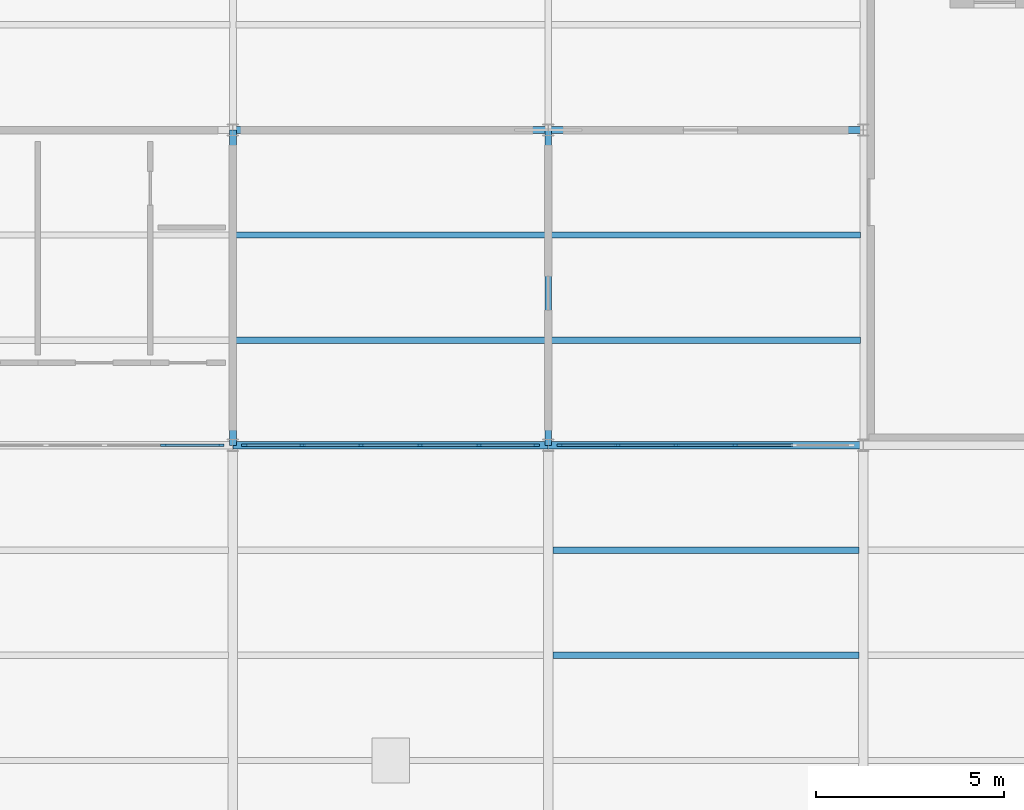
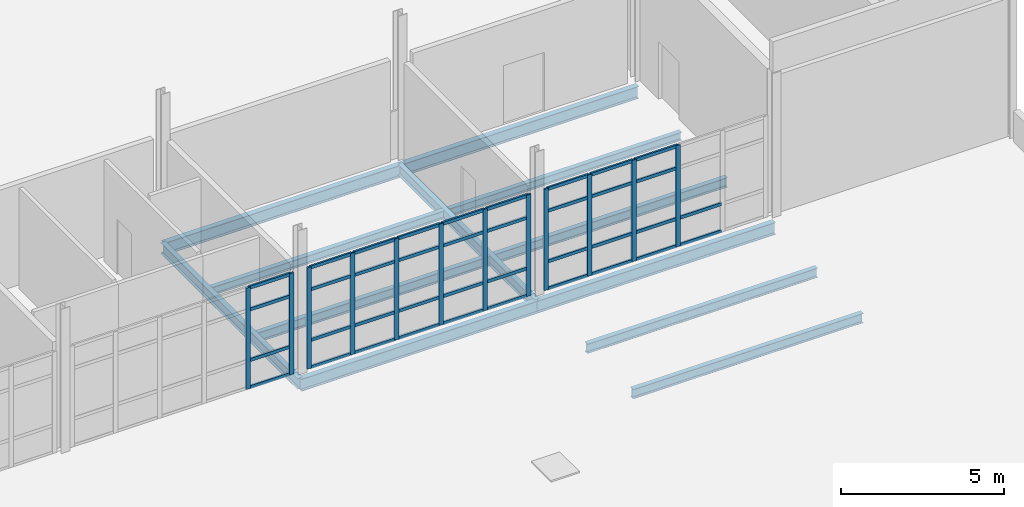
# One storey, part 13 of 33: 50 members, 12 beams, 3 elements without a shape of their own.
"""IFC4 building model written with IfcOpenShell, lengths in metres."""

from ifc_helpers import new_model, si_unit, direction, frame, origin, origin_2d, place, context, subcontext, project, spatial, rectangle, i_section, extrude, material, layer, layer_set, material_profile, profile_set, type_object, element, aggregate, save


model = new_model("IFC4")

# Units and contexts
model_context = context("Model", 3, precision=1e-05, world=origin(), true_north=direction((0.0, 1.0)))
body_context = subcontext(model_context, "Body", "Model", "MODEL_VIEW")
ifc_project = project(units=[si_unit("LENGTHUNIT", "METRE"), si_unit("AREAUNIT", "SQUARE_METRE"), si_unit("VOLUMEUNIT", "CUBIC_METRE"), si_unit("PLANEANGLEUNIT", "RADIAN"), si_unit("MASSUNIT", "GRAM", prefix="KILO"), si_unit("THERMODYNAMICTEMPERATUREUNIT", "KELVIN"), si_unit("POWERUNIT", "WATT")], contexts=[model_context])

# Site, building, storey
site_placement = place(None, origin())
site = spatial("IfcSite", under=ifc_project, at=site_placement, CompositionType="ELEMENT")
building_placement = place(site_placement, origin())
building = spatial("IfcBuilding", under=site, at=building_placement, Name="Tembeka Court Mobility Hub", CompositionType="ELEMENT")
storey_placement = place(building_placement, frame((0.0, 0.0, 23.39990234375)))
storey = spatial("IfcBuildingStorey", under=building, at=storey_placement, Name="L06", CompositionType="ELEMENT", Elevation=23.39990234375)

# Beams
ifc_material_1 = material(Name="Steel S355", Category="steel")
ifc_material_profile_1 = material_profile(ifc_material_1, i_section(OverallWidth=0.18994140625, OverallDepth=0.45703125, WebThickness=0.009033203125, FlangeThickness=0.014404296875, FilletRadius=0.01025390625, at=origin_2d()), Name="UKB 457x191x74")
ifc_profile_set_1 = profile_set([ifc_material_profile_1], Name="Steel S355")
beam_type_1 = type_object("IfcBeamType", Name="BM-B01", PredefinedType="BEAM", material=ifc_profile_set_1)
beam_1_placement = place(storey_placement, frame((67.199951171875, 38.39990234375, -0.478515625), z_axis=(1.0, 0.0, 0.0), x_axis=(0.0, 1.0, 0.0)))
element("IfcBeam", 1, at=beam_1_placement, inside=storey, type_object=beam_type_1, Name="Beam B01 (BM-L06-X3119)", PredefinedType="BEAM", context=body_context, shape_type="SweptSolid", body=[
    extrude(i_section(OverallWidth=0.18994140625, OverallDepth=0.45703125, WebThickness=0.009033203125, FlangeThickness=0.014404296875, FilletRadius=0.01025390625, at=origin_2d()), origin(), (0.0, 0.0, 1.0), 8.400146484375),
])
beam_2_placement = place(storey_placement, frame((75.60009765625, 38.39990234375, -0.478515625), z_axis=(1.0, 0.0, 0.0), x_axis=(0.0, 1.0, 0.0)))
element("IfcBeam", 2, at=beam_2_placement, inside=storey, type_object=beam_type_1, Name="Beam B01 (BM-L06-X3120)", PredefinedType="BEAM", context=body_context, shape_type="SweptSolid", body=[
    extrude(i_section(OverallWidth=0.18994140625, OverallDepth=0.45703125, WebThickness=0.009033203125, FlangeThickness=0.014404296875, FilletRadius=0.01025390625, at=origin_2d()), origin(), (0.0, 0.0, 1.0), 8.39990234375),
])
beam_3_placement = place(storey_placement, frame((67.199951171875, 46.800048828125, -0.478515625), z_axis=(1.0, 0.0, 0.0), x_axis=(0.0, 1.0, 0.0)))
element("IfcBeam", 3, at=beam_3_placement, inside=storey, type_object=beam_type_1, Name="Beam B01 (BM-L06-X3129)", PredefinedType="BEAM", context=body_context, shape_type="SweptSolid", body=[
    extrude(i_section(OverallWidth=0.18994140625, OverallDepth=0.45703125, WebThickness=0.009033203125, FlangeThickness=0.014404296875, FilletRadius=0.01025390625, at=origin_2d()), origin(), (0.0, 0.0, 1.0), 8.400146484375),
])
beam_4_placement = place(storey_placement, frame((75.60009765625, 46.800048828125, -0.478515625), z_axis=(1.0, 0.0, 0.0), x_axis=(0.0, 1.0, 0.0)))
element("IfcBeam", 4, at=beam_4_placement, inside=storey, type_object=beam_type_1, Name="Beam B01 (BM-L06-X3130)", PredefinedType="BEAM", context=body_context, shape_type="SweptSolid", body=[
    extrude(i_section(OverallWidth=0.18994140625, OverallDepth=0.45703125, WebThickness=0.009033203125, FlangeThickness=0.014404296875, FilletRadius=0.01025390625, at=origin_2d()), origin(), (0.0, 0.0, 1.0), 8.39990234375),
])
ifc_material_profile_2 = material_profile(ifc_material_1, i_section(OverallWidth=0.177978515625, OverallDepth=0.406005859375, WebThickness=0.0078125, FlangeThickness=0.0126953125, FilletRadius=0.01025390625, at=origin_2d()), Name="UKB 406x178x60")
ifc_profile_set_2 = profile_set([ifc_material_profile_2], Name="Steel S355")
beam_type_2 = type_object("IfcBeamType", Name="BM-B02", PredefinedType="BEAM", material=ifc_profile_set_2)
for number, where, z_axis, x_axis, name in (
    (5, (67.199951171875, 38.39990234375, -0.452880859375), (0.0, 1.0, 0.0), (-1.0, 0.0, 0.0), "Beam B02 (BM-L06-Y3262)"),
    (6, (75.60009765625, 38.39990234375, -0.452880859375), (0.0, 1.0, 0.0), (-1.0, 0.0, 0.0), "Beam B02 (BM-L06-Y3269)"),
):
    element("IfcBeam", number, at=place(storey_placement, frame(where, z_axis=z_axis, x_axis=x_axis)), inside=storey, type_object=beam_type_2, Name=name, PredefinedType="BEAM", context=body_context, shape_type="SweptSolid", body=[
        extrude(i_section(OverallWidth=0.177978515625, OverallDepth=0.406005859375, WebThickness=0.0078125, FlangeThickness=0.0126953125, FilletRadius=0.01025390625, at=origin_2d()), origin(), (0.0, 0.0, 1.0), 8.400146484375),
    ])
ifc_material_profile_3 = material_profile(ifc_material_1, i_section(OverallWidth=0.172119140625, OverallDepth=0.35498046875, WebThickness=0.00732421875, FlangeThickness=0.011474609375, FilletRadius=0.01025390625, at=origin_2d()), Name="UKB 356x171x51")
ifc_profile_set_3 = profile_set([ifc_material_profile_3], Name="Steel S355")
beam_type_3 = type_object("IfcBeamType", Name="BM-J01", PredefinedType="JOIST", material=ifc_profile_set_3)
for number, where, z_axis, x_axis, name in (
    (7, (75.721923828125, 32.800048828125, -0.407470703125), (1.0, 0.0, 0.0), (0.0, 1.0, 0.0), "Beam J01 (JST-L06-3464)"),
    (8, (75.721923828125, 35.60009765625, -0.407470703125), (1.0, 0.0, 0.0), (0.0, 1.0, 0.0), "Beam J01 (JST-L06-3465)"),
):
    element("IfcBeam", number, at=place(storey_placement, frame(where, z_axis=z_axis, x_axis=x_axis)), inside=storey, type_object=beam_type_3, Name=name, PredefinedType="JOIST", context=body_context, shape_type="SweptSolid", body=[
        extrude(i_section(OverallWidth=0.172119140625, OverallDepth=0.35498046875, WebThickness=0.00732421875, FlangeThickness=0.011474609375, FilletRadius=0.01025390625, at=origin_2d()), origin(), (0.0, 0.0, 1.0), 8.156005859375),
    ])
ifc_material_profile_4 = material_profile(ifc_material_1, i_section(OverallWidth=0.1650390625, OverallDepth=0.303955078125, WebThickness=0.006103515625, FlangeThickness=0.01025390625, FilletRadius=0.0087890625, at=origin_2d()), Name="UKB 305x165x40")
ifc_profile_set_4 = profile_set([ifc_material_profile_4], Name="Steel S355")
beam_type_4 = type_object("IfcBeamType", Name="BM-J02", PredefinedType="JOIST", material=ifc_profile_set_4)
beam_5_placement = place(storey_placement, frame((67.283935546875, 44.0, -0.40185546875), z_axis=(1.0, 0.0, 0.0), x_axis=(0.0, 1.0, 0.0)))
element("IfcBeam", 9, at=beam_5_placement, inside=storey, type_object=beam_type_4, Name="Beam J02 (JST-L06-3447)", PredefinedType="JOIST", context=body_context, shape_type="SweptSolid", body=[
    extrude(i_section(OverallWidth=0.1650390625, OverallDepth=0.303955078125, WebThickness=0.006103515625, FlangeThickness=0.01025390625, FilletRadius=0.0087890625, at=origin_2d()), origin(), (0.0, 0.0, 1.0), 8.232177734375),
])
beam_6_placement = place(storey_placement, frame((75.68408203125, 44.0, -0.40185546875), z_axis=(1.0, 0.0, 0.0), x_axis=(0.0, 1.0, 0.0)))
element("IfcBeam", 10, at=beam_6_placement, inside=storey, type_object=beam_type_4, Name="Beam J02 (JST-L06-3467)", PredefinedType="JOIST", context=body_context, shape_type="SweptSolid", body=[
    extrude(i_section(OverallWidth=0.1650390625, OverallDepth=0.303955078125, WebThickness=0.006103515625, FlangeThickness=0.01025390625, FilletRadius=0.0087890625, at=origin_2d()), origin(), (0.0, 0.0, 1.0), 8.23193359375),
])
ifc_material_profile_5 = material_profile(ifc_material_1, i_section(OverallWidth=0.169921875, OverallDepth=0.360107421875, WebThickness=0.008056640625, FlangeThickness=0.0126953125, FilletRadius=0.01806640625, at=origin_2d()), Name="IPE 360")
ifc_profile_set_5 = profile_set([ifc_material_profile_5], Name="Steel S355")
beam_type_5 = type_object("IfcBeamType", Name="BM-J03", PredefinedType="JOIST", material=ifc_profile_set_5)
beam_7_placement = place(storey_placement, frame((67.283935546875, 41.199951171875, -0.429931640625), z_axis=(1.0, 0.0, 0.0), x_axis=(0.0, 1.0, 0.0)))
element("IfcBeam", 11, at=beam_7_placement, inside=storey, type_object=beam_type_5, Name="Beam J03 (JST-L06-3446)", PredefinedType="JOIST", context=body_context, shape_type="SweptSolid", body=[
    extrude(i_section(OverallWidth=0.169921875, OverallDepth=0.360107421875, WebThickness=0.008056640625, FlangeThickness=0.0126953125, FilletRadius=0.01806640625, at=origin_2d()), origin(), (0.0, 0.0, 1.0), 8.232177734375),
])
beam_8_placement = place(storey_placement, frame((75.68408203125, 41.199951171875, -0.429931640625), z_axis=(1.0, 0.0, 0.0), x_axis=(0.0, 1.0, 0.0)))
element("IfcBeam", 12, at=beam_8_placement, inside=storey, type_object=beam_type_5, Name="Beam J03 (JST-L06-3466)", PredefinedType="JOIST", context=body_context, shape_type="SweptSolid", body=[
    extrude(i_section(OverallWidth=0.169921875, OverallDepth=0.360107421875, WebThickness=0.008056640625, FlangeThickness=0.0126953125, FilletRadius=0.01806640625, at=origin_2d()), origin(), (0.0, 0.0, 1.0), 8.23193359375),
])

# Curtain wall, members
ifc_material_2 = material(Name="Anodised aluminium 6063-T6", Category="aluminium")
ifc_layer = layer(ifc_material_2, 0.159912109375)
ifc_layer_set = layer_set([ifc_layer], Name="Anodised aluminium 6063-T6")
curtain_wall_type = type_object("IfcCurtainWallType", Name="CW-SYS57", PredefinedType="USERDEFINED", material=ifc_layer_set)
curtain_wall_1_placement = place(storey_placement, origin())
curtain_wall_1 = element("IfcCurtainWall", 13, at=curtain_wall_1_placement, inside=storey, type_object=curtain_wall_type, Name="Unitised curtain wall CW57 (CW-L06-158)", ObjectType="UNITISED GLAZING", PredefinedType="USERDEFINED")
ifc_material_profile_6 = material_profile(ifc_material_2, rectangle(XDim=0.06494140625, YDim=0.159912109375, at=origin_2d()), Name="ALU-MUL 65x160")
ifc_profile_set_6 = profile_set([ifc_material_profile_6], Name="Anodised aluminium 6063-T6")
member_type_1 = type_object("IfcMemberType", Name="CW-MUL01", PredefinedType="MULLION", material=ifc_profile_set_6)
member_1_placement = place(storey_placement, frame((65.35205078125, 38.39990234375, 0.0), z_axis=(0.0, 0.0, 1.0), x_axis=(0.0, 1.0, 0.0)))
member_1 = element("IfcMember", 14, at=member_1_placement, type_object=member_type_1, Name="CW57 mullion 5", PredefinedType="MULLION", context=body_context, shape_type="SweptSolid", body=[
    extrude(rectangle(XDim=0.06494140625, YDim=0.159912109375, at=origin_2d()), origin(), (0.0, 0.0, 1.0), 3.795166015625),
])
member_2_placement = place(storey_placement, frame((66.887451171875, 38.39990234375, 0.0), z_axis=(0.0, 0.0, 1.0), x_axis=(0.0, 1.0, 0.0)))
member_2 = element("IfcMember", 15, at=member_2_placement, type_object=member_type_1, Name="CW57 mullion 6", PredefinedType="MULLION", context=body_context, shape_type="SweptSolid", body=[
    extrude(rectangle(XDim=0.06494140625, YDim=0.159912109375, at=origin_2d()), origin(), (0.0, 0.0, 1.0), 3.795166015625),
])

curtain_wall_2_placement = place(storey_placement, origin())
curtain_wall_2 = element("IfcCurtainWall", 16, at=curtain_wall_2_placement, inside=storey, type_object=curtain_wall_type, Name="Unitised curtain wall CW57 (CW-L06-160)", ObjectType="UNITISED GLAZING", PredefinedType="USERDEFINED")
member_3_placement = place(storey_placement, frame((67.512451171875, 38.39990234375, 0.0), z_axis=(0.0, 0.0, 1.0), x_axis=(0.0, 1.0, 0.0)))
member_3 = element("IfcMember", 17, at=member_3_placement, type_object=member_type_1, Name="CW57 mullion 1", PredefinedType="MULLION", context=body_context, shape_type="SweptSolid", body=[
    extrude(rectangle(XDim=0.06494140625, YDim=0.159912109375, at=origin_2d()), origin(), (0.0, 0.0, 1.0), 3.795166015625),
])
member_4_placement = place(storey_placement, frame((69.048095703125, 38.39990234375, 0.0), z_axis=(0.0, 0.0, 1.0), x_axis=(0.0, 1.0, 0.0)))
member_4 = element("IfcMember", 18, at=member_4_placement, type_object=member_type_1, Name="CW57 mullion 2", PredefinedType="MULLION", context=body_context, shape_type="SweptSolid", body=[
    extrude(rectangle(XDim=0.06494140625, YDim=0.159912109375, at=origin_2d()), origin(), (0.0, 0.0, 1.0), 3.795166015625),
])
member_5_placement = place(storey_placement, frame((70.615966796875, 38.39990234375, 0.0), z_axis=(0.0, 0.0, 1.0), x_axis=(0.0, 1.0, 0.0)))
member_5 = element("IfcMember", 19, at=member_5_placement, type_object=member_type_1, Name="CW57 mullion 3", PredefinedType="MULLION", context=body_context, shape_type="SweptSolid", body=[
    extrude(rectangle(XDim=0.06494140625, YDim=0.159912109375, at=origin_2d()), origin(), (0.0, 0.0, 1.0), 3.795166015625),
])
member_6_placement = place(storey_placement, frame((72.18408203125, 38.39990234375, 0.0), z_axis=(0.0, 0.0, 1.0), x_axis=(0.0, 1.0, 0.0)))
member_6 = element("IfcMember", 20, at=member_6_placement, type_object=member_type_1, Name="CW57 mullion 4", PredefinedType="MULLION", context=body_context, shape_type="SweptSolid", body=[
    extrude(rectangle(XDim=0.06494140625, YDim=0.159912109375, at=origin_2d()), origin(), (0.0, 0.0, 1.0), 3.795166015625),
])
member_7_placement = place(storey_placement, frame((73.751953125, 38.39990234375, 0.0), z_axis=(0.0, 0.0, 1.0), x_axis=(0.0, 1.0, 0.0)))
member_7 = element("IfcMember", 21, at=member_7_placement, type_object=member_type_1, Name="CW57 mullion 5", PredefinedType="MULLION", context=body_context, shape_type="SweptSolid", body=[
    extrude(rectangle(XDim=0.06494140625, YDim=0.159912109375, at=origin_2d()), origin(), (0.0, 0.0, 1.0), 3.795166015625),
])
member_8_placement = place(storey_placement, frame((75.28759765625, 38.39990234375, 0.0), z_axis=(0.0, 0.0, 1.0), x_axis=(0.0, 1.0, 0.0)))
member_8 = element("IfcMember", 22, at=member_8_placement, type_object=member_type_1, Name="CW57 mullion 6", PredefinedType="MULLION", context=body_context, shape_type="SweptSolid", body=[
    extrude(rectangle(XDim=0.06494140625, YDim=0.159912109375, at=origin_2d()), origin(), (0.0, 0.0, 1.0), 3.795166015625),
])

curtain_wall_3_placement = place(storey_placement, origin())
curtain_wall_3 = element("IfcCurtainWall", 23, at=curtain_wall_3_placement, inside=storey, type_object=curtain_wall_type, Name="Unitised curtain wall CW57 (CW-L06-162)", ObjectType="UNITISED GLAZING", PredefinedType="USERDEFINED")
member_9_placement = place(storey_placement, frame((75.91259765625, 38.39990234375, 0.0), z_axis=(0.0, 0.0, 1.0), x_axis=(0.0, 1.0, 0.0)))
member_9 = element("IfcMember", 24, at=member_9_placement, type_object=member_type_1, Name="CW57 mullion 1", PredefinedType="MULLION", context=body_context, shape_type="SweptSolid", body=[
    extrude(rectangle(XDim=0.06494140625, YDim=0.159912109375, at=origin_2d()), origin(), (0.0, 0.0, 1.0), 3.795166015625),
])
member_10_placement = place(storey_placement, frame((77.447998046875, 38.39990234375, 0.0), z_axis=(0.0, 0.0, 1.0), x_axis=(0.0, 1.0, 0.0)))
member_10 = element("IfcMember", 25, at=member_10_placement, type_object=member_type_1, Name="CW57 mullion 2", PredefinedType="MULLION", context=body_context, shape_type="SweptSolid", body=[
    extrude(rectangle(XDim=0.06494140625, YDim=0.159912109375, at=origin_2d()), origin(), (0.0, 0.0, 1.0), 3.795166015625),
])
member_11_placement = place(storey_placement, frame((79.01611328125, 38.39990234375, 0.0), z_axis=(0.0, 0.0, 1.0), x_axis=(0.0, 1.0, 0.0)))
member_11 = element("IfcMember", 26, at=member_11_placement, type_object=member_type_1, Name="CW57 mullion 3", PredefinedType="MULLION", context=body_context, shape_type="SweptSolid", body=[
    extrude(rectangle(XDim=0.06494140625, YDim=0.159912109375, at=origin_2d()), origin(), (0.0, 0.0, 1.0), 3.795166015625),
])
member_12_placement = place(storey_placement, frame((80.583984375, 38.39990234375, 0.0), z_axis=(0.0, 0.0, 1.0), x_axis=(0.0, 1.0, 0.0)))
member_12 = element("IfcMember", 27, at=member_12_placement, type_object=member_type_1, Name="CW57 mullion 4", PredefinedType="MULLION", context=body_context, shape_type="SweptSolid", body=[
    extrude(rectangle(XDim=0.06494140625, YDim=0.159912109375, at=origin_2d()), origin(), (0.0, 0.0, 1.0), 3.795166015625),
])

# Member
ifc_material_profile_7 = material_profile(ifc_material_2, rectangle(XDim=0.06494140625, YDim=0.1201171875, at=origin_2d()), Name="ALU-TRN 65x120")
ifc_profile_set_7 = profile_set([ifc_material_profile_7], Name="Anodised aluminium 6063-T6")
member_type_2 = type_object("IfcMemberType", Name="CW-TRN01", PredefinedType="USERDEFINED", material=ifc_profile_set_7)
member_13_placement = place(storey_placement, frame((65.384521484375, 38.39990234375, 0.03271484375), z_axis=(1.0, 0.0, 0.0), x_axis=(0.0, 1.0, 0.0)))
member_13 = element("IfcMember", 28, at=member_13_placement, type_object=member_type_2, Name="CW57 transom 5.1", ObjectType="TRANSOM", PredefinedType="USERDEFINED", context=body_context, shape_type="SweptSolid", body=[
    extrude(rectangle(XDim=0.06494140625, YDim=0.1201171875, at=origin_2d()), origin(), (0.0, 0.0, 1.0), 1.470458984375),
])

member_14_placement = place(storey_placement, frame((65.384521484375, 38.39990234375, 1.050048828125), z_axis=(1.0, 0.0, 0.0), x_axis=(0.0, 1.0, 0.0)))
member_14 = element("IfcMember", 29, at=member_14_placement, type_object=member_type_2, Name="CW57 transom 5.2", ObjectType="TRANSOM", PredefinedType="USERDEFINED", context=body_context, shape_type="SweptSolid", body=[
    extrude(rectangle(XDim=0.06494140625, YDim=0.1201171875, at=origin_2d()), origin(), (0.0, 0.0, 1.0), 1.470458984375),
])

member_15_placement = place(storey_placement, frame((65.384521484375, 38.39990234375, 2.945068359375), z_axis=(1.0, 0.0, 0.0), x_axis=(0.0, 1.0, 0.0)))
member_15 = element("IfcMember", 30, at=member_15_placement, type_object=member_type_2, Name="CW57 transom 5.3", ObjectType="TRANSOM", PredefinedType="USERDEFINED", context=body_context, shape_type="SweptSolid", body=[
    extrude(rectangle(XDim=0.06494140625, YDim=0.1201171875, at=origin_2d()), origin(), (0.0, 0.0, 1.0), 1.470458984375),
])

member_16_placement = place(storey_placement, frame((65.384521484375, 38.39990234375, 3.7626953125), z_axis=(1.0, 0.0, 0.0), x_axis=(0.0, 1.0, 0.0)))
member_16 = element("IfcMember", 31, at=member_16_placement, type_object=member_type_2, Name="CW57 transom 5.4", ObjectType="TRANSOM", PredefinedType="USERDEFINED", context=body_context, shape_type="SweptSolid", body=[
    extrude(rectangle(XDim=0.06494140625, YDim=0.1201171875, at=origin_2d()), origin(), (0.0, 0.0, 1.0), 1.470458984375),
])

aggregate(curtain_wall_1, [member_1, member_2, member_13, member_14, member_15, member_16])

member_17_placement = place(storey_placement, frame((67.544921875, 38.39990234375, 0.03271484375), z_axis=(1.0, 0.0, 0.0), x_axis=(0.0, 1.0, 0.0)))
member_17 = element("IfcMember", 32, at=member_17_placement, type_object=member_type_2, Name="CW57 transom 1.1", ObjectType="TRANSOM", PredefinedType="USERDEFINED", context=body_context, shape_type="SweptSolid", body=[
    extrude(rectangle(XDim=0.06494140625, YDim=0.1201171875, at=origin_2d()), origin(), (0.0, 0.0, 1.0), 1.470458984375),
])

member_18_placement = place(storey_placement, frame((67.544921875, 38.39990234375, 1.050048828125), z_axis=(1.0, 0.0, 0.0), x_axis=(0.0, 1.0, 0.0)))
member_18 = element("IfcMember", 33, at=member_18_placement, type_object=member_type_2, Name="CW57 transom 1.2", ObjectType="TRANSOM", PredefinedType="USERDEFINED", context=body_context, shape_type="SweptSolid", body=[
    extrude(rectangle(XDim=0.06494140625, YDim=0.1201171875, at=origin_2d()), origin(), (0.0, 0.0, 1.0), 1.470458984375),
])

member_19_placement = place(storey_placement, frame((67.544921875, 38.39990234375, 2.945068359375), z_axis=(1.0, 0.0, 0.0), x_axis=(0.0, 1.0, 0.0)))
member_19 = element("IfcMember", 34, at=member_19_placement, type_object=member_type_2, Name="CW57 transom 1.3", ObjectType="TRANSOM", PredefinedType="USERDEFINED", context=body_context, shape_type="SweptSolid", body=[
    extrude(rectangle(XDim=0.06494140625, YDim=0.1201171875, at=origin_2d()), origin(), (0.0, 0.0, 1.0), 1.470458984375),
])

member_20_placement = place(storey_placement, frame((67.544921875, 38.39990234375, 3.7626953125), z_axis=(1.0, 0.0, 0.0), x_axis=(0.0, 1.0, 0.0)))
member_20 = element("IfcMember", 35, at=member_20_placement, type_object=member_type_2, Name="CW57 transom 1.4", ObjectType="TRANSOM", PredefinedType="USERDEFINED", context=body_context, shape_type="SweptSolid", body=[
    extrude(rectangle(XDim=0.06494140625, YDim=0.1201171875, at=origin_2d()), origin(), (0.0, 0.0, 1.0), 1.470458984375),
])

member_21_placement = place(storey_placement, frame((69.08056640625, 38.39990234375, 0.03271484375), z_axis=(1.0, 0.0, 0.0), x_axis=(0.0, 1.0, 0.0)))
member_21 = element("IfcMember", 36, at=member_21_placement, type_object=member_type_2, Name="CW57 transom 2.1", ObjectType="TRANSOM", PredefinedType="USERDEFINED", context=body_context, shape_type="SweptSolid", body=[
    extrude(rectangle(XDim=0.06494140625, YDim=0.1201171875, at=origin_2d()), origin(), (0.0, 0.0, 1.0), 1.5029296875),
])

member_22_placement = place(storey_placement, frame((69.08056640625, 38.39990234375, 1.050048828125), z_axis=(1.0, 0.0, 0.0), x_axis=(0.0, 1.0, 0.0)))
member_22 = element("IfcMember", 37, at=member_22_placement, type_object=member_type_2, Name="CW57 transom 2.2", ObjectType="TRANSOM", PredefinedType="USERDEFINED", context=body_context, shape_type="SweptSolid", body=[
    extrude(rectangle(XDim=0.06494140625, YDim=0.1201171875, at=origin_2d()), origin(), (0.0, 0.0, 1.0), 1.5029296875),
])

member_23_placement = place(storey_placement, frame((69.08056640625, 38.39990234375, 2.945068359375), z_axis=(1.0, 0.0, 0.0), x_axis=(0.0, 1.0, 0.0)))
member_23 = element("IfcMember", 38, at=member_23_placement, type_object=member_type_2, Name="CW57 transom 2.3", ObjectType="TRANSOM", PredefinedType="USERDEFINED", context=body_context, shape_type="SweptSolid", body=[
    extrude(rectangle(XDim=0.06494140625, YDim=0.1201171875, at=origin_2d()), origin(), (0.0, 0.0, 1.0), 1.5029296875),
])

member_24_placement = place(storey_placement, frame((69.08056640625, 38.39990234375, 3.7626953125), z_axis=(1.0, 0.0, 0.0), x_axis=(0.0, 1.0, 0.0)))
member_24 = element("IfcMember", 39, at=member_24_placement, type_object=member_type_2, Name="CW57 transom 2.4", ObjectType="TRANSOM", PredefinedType="USERDEFINED", context=body_context, shape_type="SweptSolid", body=[
    extrude(rectangle(XDim=0.06494140625, YDim=0.1201171875, at=origin_2d()), origin(), (0.0, 0.0, 1.0), 1.5029296875),
])

member_25_placement = place(storey_placement, frame((70.6484375, 38.39990234375, 0.03271484375), z_axis=(1.0, 0.0, 0.0), x_axis=(0.0, 1.0, 0.0)))
member_25 = element("IfcMember", 40, at=member_25_placement, type_object=member_type_2, Name="CW57 transom 3.1", ObjectType="TRANSOM", PredefinedType="USERDEFINED", context=body_context, shape_type="SweptSolid", body=[
    extrude(rectangle(XDim=0.06494140625, YDim=0.1201171875, at=origin_2d()), origin(), (0.0, 0.0, 1.0), 1.503173828125),
])

member_26_placement = place(storey_placement, frame((70.6484375, 38.39990234375, 1.050048828125), z_axis=(1.0, 0.0, 0.0), x_axis=(0.0, 1.0, 0.0)))
member_26 = element("IfcMember", 41, at=member_26_placement, type_object=member_type_2, Name="CW57 transom 3.2", ObjectType="TRANSOM", PredefinedType="USERDEFINED", context=body_context, shape_type="SweptSolid", body=[
    extrude(rectangle(XDim=0.06494140625, YDim=0.1201171875, at=origin_2d()), origin(), (0.0, 0.0, 1.0), 1.503173828125),
])

member_27_placement = place(storey_placement, frame((70.6484375, 38.39990234375, 2.945068359375), z_axis=(1.0, 0.0, 0.0), x_axis=(0.0, 1.0, 0.0)))
member_27 = element("IfcMember", 42, at=member_27_placement, type_object=member_type_2, Name="CW57 transom 3.3", ObjectType="TRANSOM", PredefinedType="USERDEFINED", context=body_context, shape_type="SweptSolid", body=[
    extrude(rectangle(XDim=0.06494140625, YDim=0.1201171875, at=origin_2d()), origin(), (0.0, 0.0, 1.0), 1.503173828125),
])

member_28_placement = place(storey_placement, frame((70.6484375, 38.39990234375, 3.7626953125), z_axis=(1.0, 0.0, 0.0), x_axis=(0.0, 1.0, 0.0)))
member_28 = element("IfcMember", 43, at=member_28_placement, type_object=member_type_2, Name="CW57 transom 3.4", ObjectType="TRANSOM", PredefinedType="USERDEFINED", context=body_context, shape_type="SweptSolid", body=[
    extrude(rectangle(XDim=0.06494140625, YDim=0.1201171875, at=origin_2d()), origin(), (0.0, 0.0, 1.0), 1.503173828125),
])

member_29_placement = place(storey_placement, frame((72.216552734375, 38.39990234375, 0.03271484375), z_axis=(1.0, 0.0, 0.0), x_axis=(0.0, 1.0, 0.0)))
member_29 = element("IfcMember", 44, at=member_29_placement, type_object=member_type_2, Name="CW57 transom 4.1", ObjectType="TRANSOM", PredefinedType="USERDEFINED", context=body_context, shape_type="SweptSolid", body=[
    extrude(rectangle(XDim=0.06494140625, YDim=0.1201171875, at=origin_2d()), origin(), (0.0, 0.0, 1.0), 1.5029296875),
])

member_30_placement = place(storey_placement, frame((72.216552734375, 38.39990234375, 1.050048828125), z_axis=(1.0, 0.0, 0.0), x_axis=(0.0, 1.0, 0.0)))
member_30 = element("IfcMember", 45, at=member_30_placement, type_object=member_type_2, Name="CW57 transom 4.2", ObjectType="TRANSOM", PredefinedType="USERDEFINED", context=body_context, shape_type="SweptSolid", body=[
    extrude(rectangle(XDim=0.06494140625, YDim=0.1201171875, at=origin_2d()), origin(), (0.0, 0.0, 1.0), 1.5029296875),
])

member_31_placement = place(storey_placement, frame((72.216552734375, 38.39990234375, 2.945068359375), z_axis=(1.0, 0.0, 0.0), x_axis=(0.0, 1.0, 0.0)))
member_31 = element("IfcMember", 46, at=member_31_placement, type_object=member_type_2, Name="CW57 transom 4.3", ObjectType="TRANSOM", PredefinedType="USERDEFINED", context=body_context, shape_type="SweptSolid", body=[
    extrude(rectangle(XDim=0.06494140625, YDim=0.1201171875, at=origin_2d()), origin(), (0.0, 0.0, 1.0), 1.5029296875),
])

member_32_placement = place(storey_placement, frame((72.216552734375, 38.39990234375, 3.7626953125), z_axis=(1.0, 0.0, 0.0), x_axis=(0.0, 1.0, 0.0)))
member_32 = element("IfcMember", 47, at=member_32_placement, type_object=member_type_2, Name="CW57 transom 4.4", ObjectType="TRANSOM", PredefinedType="USERDEFINED", context=body_context, shape_type="SweptSolid", body=[
    extrude(rectangle(XDim=0.06494140625, YDim=0.1201171875, at=origin_2d()), origin(), (0.0, 0.0, 1.0), 1.5029296875),
])

member_33_placement = place(storey_placement, frame((73.784423828125, 38.39990234375, 0.03271484375), z_axis=(1.0, 0.0, 0.0), x_axis=(0.0, 1.0, 0.0)))
member_33 = element("IfcMember", 48, at=member_33_placement, type_object=member_type_2, Name="CW57 transom 5.1", ObjectType="TRANSOM", PredefinedType="USERDEFINED", context=body_context, shape_type="SweptSolid", body=[
    extrude(rectangle(XDim=0.06494140625, YDim=0.1201171875, at=origin_2d()), origin(), (0.0, 0.0, 1.0), 1.470458984375),
])

member_34_placement = place(storey_placement, frame((73.784423828125, 38.39990234375, 1.050048828125), z_axis=(1.0, 0.0, 0.0), x_axis=(0.0, 1.0, 0.0)))
member_34 = element("IfcMember", 49, at=member_34_placement, type_object=member_type_2, Name="CW57 transom 5.2", ObjectType="TRANSOM", PredefinedType="USERDEFINED", context=body_context, shape_type="SweptSolid", body=[
    extrude(rectangle(XDim=0.06494140625, YDim=0.1201171875, at=origin_2d()), origin(), (0.0, 0.0, 1.0), 1.470458984375),
])

member_35_placement = place(storey_placement, frame((73.784423828125, 38.39990234375, 2.945068359375), z_axis=(1.0, 0.0, 0.0), x_axis=(0.0, 1.0, 0.0)))
member_35 = element("IfcMember", 50, at=member_35_placement, type_object=member_type_2, Name="CW57 transom 5.3", ObjectType="TRANSOM", PredefinedType="USERDEFINED", context=body_context, shape_type="SweptSolid", body=[
    extrude(rectangle(XDim=0.06494140625, YDim=0.1201171875, at=origin_2d()), origin(), (0.0, 0.0, 1.0), 1.470458984375),
])

member_36_placement = place(storey_placement, frame((73.784423828125, 38.39990234375, 3.7626953125), z_axis=(1.0, 0.0, 0.0), x_axis=(0.0, 1.0, 0.0)))
member_36 = element("IfcMember", 51, at=member_36_placement, type_object=member_type_2, Name="CW57 transom 5.4", ObjectType="TRANSOM", PredefinedType="USERDEFINED", context=body_context, shape_type="SweptSolid", body=[
    extrude(rectangle(XDim=0.06494140625, YDim=0.1201171875, at=origin_2d()), origin(), (0.0, 0.0, 1.0), 1.470458984375),
])

aggregate(curtain_wall_2, [member_3, member_4, member_5, member_6, member_7, member_8, member_17, member_18, member_19, member_20, member_21, member_22, member_23, member_24, member_25, member_26, member_27, member_28, member_29, member_30, member_31, member_32, member_33, member_34, member_35, member_36])

member_37_placement = place(storey_placement, frame((75.945068359375, 38.39990234375, 0.03271484375), z_axis=(1.0, 0.0, 0.0), x_axis=(0.0, 1.0, 0.0)))
member_37 = element("IfcMember", 52, at=member_37_placement, type_object=member_type_2, Name="CW57 transom 1.1", ObjectType="TRANSOM", PredefinedType="USERDEFINED", context=body_context, shape_type="SweptSolid", body=[
    extrude(rectangle(XDim=0.06494140625, YDim=0.1201171875, at=origin_2d()), origin(), (0.0, 0.0, 1.0), 1.470458984375),
])

member_38_placement = place(storey_placement, frame((75.945068359375, 38.39990234375, 1.050048828125), z_axis=(1.0, 0.0, 0.0), x_axis=(0.0, 1.0, 0.0)))
member_38 = element("IfcMember", 53, at=member_38_placement, type_object=member_type_2, Name="CW57 transom 1.2", ObjectType="TRANSOM", PredefinedType="USERDEFINED", context=body_context, shape_type="SweptSolid", body=[
    extrude(rectangle(XDim=0.06494140625, YDim=0.1201171875, at=origin_2d()), origin(), (0.0, 0.0, 1.0), 1.470458984375),
])

member_39_placement = place(storey_placement, frame((75.945068359375, 38.39990234375, 2.945068359375), z_axis=(1.0, 0.0, 0.0), x_axis=(0.0, 1.0, 0.0)))
member_39 = element("IfcMember", 54, at=member_39_placement, type_object=member_type_2, Name="CW57 transom 1.3", ObjectType="TRANSOM", PredefinedType="USERDEFINED", context=body_context, shape_type="SweptSolid", body=[
    extrude(rectangle(XDim=0.06494140625, YDim=0.1201171875, at=origin_2d()), origin(), (0.0, 0.0, 1.0), 1.470458984375),
])

member_40_placement = place(storey_placement, frame((75.945068359375, 38.39990234375, 3.7626953125), z_axis=(1.0, 0.0, 0.0), x_axis=(0.0, 1.0, 0.0)))
member_40 = element("IfcMember", 55, at=member_40_placement, type_object=member_type_2, Name="CW57 transom 1.4", ObjectType="TRANSOM", PredefinedType="USERDEFINED", context=body_context, shape_type="SweptSolid", body=[
    extrude(rectangle(XDim=0.06494140625, YDim=0.1201171875, at=origin_2d()), origin(), (0.0, 0.0, 1.0), 1.470458984375),
])

member_41_placement = place(storey_placement, frame((77.48046875, 38.39990234375, 0.03271484375), z_axis=(1.0, 0.0, 0.0), x_axis=(0.0, 1.0, 0.0)))
member_41 = element("IfcMember", 56, at=member_41_placement, type_object=member_type_2, Name="CW57 transom 2.1", ObjectType="TRANSOM", PredefinedType="USERDEFINED", context=body_context, shape_type="SweptSolid", body=[
    extrude(rectangle(XDim=0.06494140625, YDim=0.1201171875, at=origin_2d()), origin(), (0.0, 0.0, 1.0), 1.5029296875),
])

member_42_placement = place(storey_placement, frame((77.48046875, 38.39990234375, 1.050048828125), z_axis=(1.0, 0.0, 0.0), x_axis=(0.0, 1.0, 0.0)))
member_42 = element("IfcMember", 57, at=member_42_placement, type_object=member_type_2, Name="CW57 transom 2.2", ObjectType="TRANSOM", PredefinedType="USERDEFINED", context=body_context, shape_type="SweptSolid", body=[
    extrude(rectangle(XDim=0.06494140625, YDim=0.1201171875, at=origin_2d()), origin(), (0.0, 0.0, 1.0), 1.5029296875),
])

member_43_placement = place(storey_placement, frame((77.48046875, 38.39990234375, 2.945068359375), z_axis=(1.0, 0.0, 0.0), x_axis=(0.0, 1.0, 0.0)))
member_43 = element("IfcMember", 58, at=member_43_placement, type_object=member_type_2, Name="CW57 transom 2.3", ObjectType="TRANSOM", PredefinedType="USERDEFINED", context=body_context, shape_type="SweptSolid", body=[
    extrude(rectangle(XDim=0.06494140625, YDim=0.1201171875, at=origin_2d()), origin(), (0.0, 0.0, 1.0), 1.5029296875),
])

member_44_placement = place(storey_placement, frame((77.48046875, 38.39990234375, 3.7626953125), z_axis=(1.0, 0.0, 0.0), x_axis=(0.0, 1.0, 0.0)))
member_44 = element("IfcMember", 59, at=member_44_placement, type_object=member_type_2, Name="CW57 transom 2.4", ObjectType="TRANSOM", PredefinedType="USERDEFINED", context=body_context, shape_type="SweptSolid", body=[
    extrude(rectangle(XDim=0.06494140625, YDim=0.1201171875, at=origin_2d()), origin(), (0.0, 0.0, 1.0), 1.5029296875),
])

member_45_placement = place(storey_placement, frame((79.048583984375, 38.39990234375, 0.03271484375), z_axis=(1.0, 0.0, 0.0), x_axis=(0.0, 1.0, 0.0)))
member_45 = element("IfcMember", 60, at=member_45_placement, type_object=member_type_2, Name="CW57 transom 3.1", ObjectType="TRANSOM", PredefinedType="USERDEFINED", context=body_context, shape_type="SweptSolid", body=[
    extrude(rectangle(XDim=0.06494140625, YDim=0.1201171875, at=origin_2d()), origin(), (0.0, 0.0, 1.0), 1.5029296875),
])

member_46_placement = place(storey_placement, frame((79.048583984375, 38.39990234375, 1.050048828125), z_axis=(1.0, 0.0, 0.0), x_axis=(0.0, 1.0, 0.0)))
member_46 = element("IfcMember", 61, at=member_46_placement, type_object=member_type_2, Name="CW57 transom 3.2", ObjectType="TRANSOM", PredefinedType="USERDEFINED", context=body_context, shape_type="SweptSolid", body=[
    extrude(rectangle(XDim=0.06494140625, YDim=0.1201171875, at=origin_2d()), origin(), (0.0, 0.0, 1.0), 1.5029296875),
])

member_47_placement = place(storey_placement, frame((79.048583984375, 38.39990234375, 2.945068359375), z_axis=(1.0, 0.0, 0.0), x_axis=(0.0, 1.0, 0.0)))
member_47 = element("IfcMember", 62, at=member_47_placement, type_object=member_type_2, Name="CW57 transom 3.3", ObjectType="TRANSOM", PredefinedType="USERDEFINED", context=body_context, shape_type="SweptSolid", body=[
    extrude(rectangle(XDim=0.06494140625, YDim=0.1201171875, at=origin_2d()), origin(), (0.0, 0.0, 1.0), 1.5029296875),
])

member_48_placement = place(storey_placement, frame((79.048583984375, 38.39990234375, 3.7626953125), z_axis=(1.0, 0.0, 0.0), x_axis=(0.0, 1.0, 0.0)))
member_48 = element("IfcMember", 63, at=member_48_placement, type_object=member_type_2, Name="CW57 transom 3.4", ObjectType="TRANSOM", PredefinedType="USERDEFINED", context=body_context, shape_type="SweptSolid", body=[
    extrude(rectangle(XDim=0.06494140625, YDim=0.1201171875, at=origin_2d()), origin(), (0.0, 0.0, 1.0), 1.5029296875),
])

member_49_placement = place(storey_placement, frame((80.616455078125, 38.39990234375, 0.03271484375), z_axis=(1.0, 0.0, 0.0), x_axis=(0.0, 1.0, 0.0)))
member_49 = element("IfcMember", 64, at=member_49_placement, type_object=member_type_2, Name="CW57 transom 4.1", ObjectType="TRANSOM", PredefinedType="USERDEFINED", context=body_context, shape_type="SweptSolid", body=[
    extrude(rectangle(XDim=0.06494140625, YDim=0.1201171875, at=origin_2d()), origin(), (0.0, 0.0, 1.0), 1.5029296875),
])

member_50_placement = place(storey_placement, frame((80.616455078125, 38.39990234375, 1.050048828125), z_axis=(1.0, 0.0, 0.0), x_axis=(0.0, 1.0, 0.0)))
member_50 = element("IfcMember", 65, at=member_50_placement, type_object=member_type_2, Name="CW57 transom 4.2", ObjectType="TRANSOM", PredefinedType="USERDEFINED", context=body_context, shape_type="SweptSolid", body=[
    extrude(rectangle(XDim=0.06494140625, YDim=0.1201171875, at=origin_2d()), origin(), (0.0, 0.0, 1.0), 1.5029296875),
])

aggregate(curtain_wall_3, [member_9, member_10, member_11, member_12, member_37, member_38, member_39, member_40, member_41, member_42, member_43, member_44, member_45, member_46, member_47, member_48, member_49, member_50])

save(model, "model.ifc")
